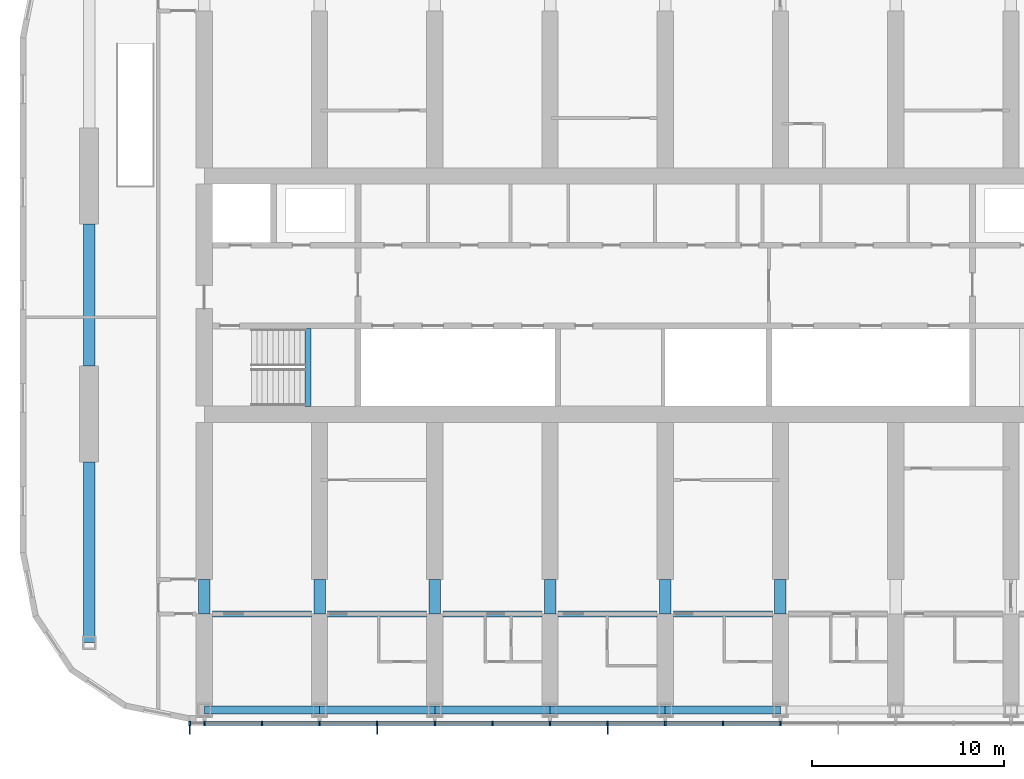
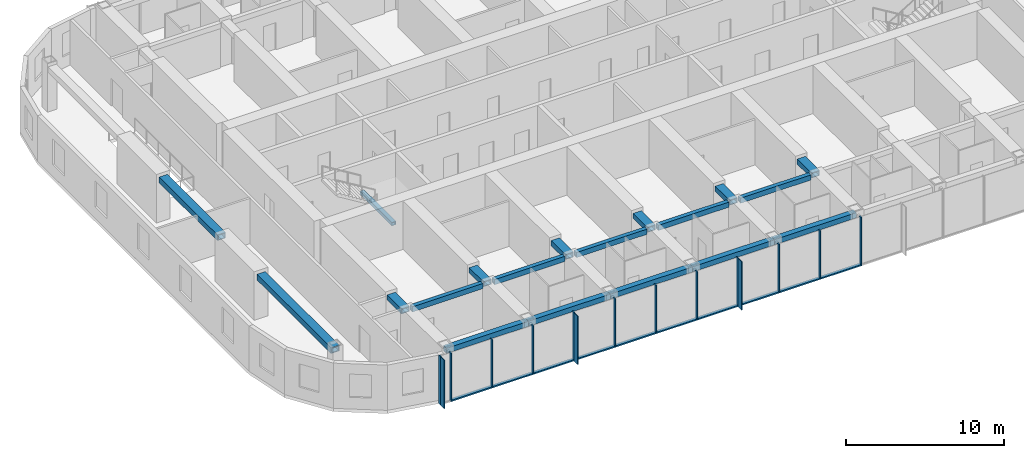
# One storey, part 2 of 22: 25 members, 19 beams, 1 element without a shape of its own.
"""IFC4 building model written with IfcOpenShell, lengths in metres."""

from ifc_helpers import new_model, si_unit, direction, frame, origin, origin_2d, place, context, subcontext, project, spatial, rectangle, hollow_rectangle, extrude, material, material_profile, profile_set, type_object, element, aggregate, save


model = new_model("IFC4")

# Units and contexts
model_context = context("Model", 3, precision=1e-05, world=origin(), true_north=direction((0.0, 1.0)))
body_context = subcontext(model_context, "Body", "Model", "MODEL_VIEW")
ifc_project = project(units=[si_unit("LENGTHUNIT", "METRE"), si_unit("AREAUNIT", "SQUARE_METRE"), si_unit("VOLUMEUNIT", "CUBIC_METRE"), si_unit("PLANEANGLEUNIT", "RADIAN"), si_unit("MASSUNIT", "GRAM", prefix="KILO")], contexts=[model_context])

# Site, building, storey
site_placement = place(None, origin())
site = spatial("IfcSite", under=ifc_project, at=site_placement, CompositionType="ELEMENT")
building_placement = place(site_placement, origin())
building = spatial("IfcBuilding", under=site, at=building_placement, Name="Orbita Commons", CompositionType="ELEMENT")
storey_placement = place(building_placement, frame((0.0, 0.0, 152.35009765625)))
storey = spatial("IfcBuildingStorey", under=building, at=storey_placement, Name="L37", CompositionType="ELEMENT", Elevation=152.35009765625)

# Curtain wall, members
ifc_material_1 = material(Name="Anodised aluminium frame, pale silver", Category="aluminium")
curtain_wall_type = type_object("IfcCurtainWallType", Name="Unitised curtain wall CW-U, full-height vision", PredefinedType="NOTDEFINED", material=ifc_material_1)
curtain_wall_placement = place(storey_placement, origin())
curtain_wall = element("IfcCurtainWall", 1, at=curtain_wall_placement, inside=storey, type_object=curtain_wall_type, Name="Curtain wall south L37", PredefinedType="NOTDEFINED")
ifc_material_2 = material(Name="Anodised aluminium, pale silver", Category="aluminium")
ifc_material_profile_1 = material_profile(ifc_material_2, rectangle(XDim=0.080078125, YDim=0.219970703125, at=origin_2d()), Name="AL 80x220")
ifc_profile_set_1 = profile_set([ifc_material_profile_1], Name="Anodised aluminium, pale silver")
member_type_1 = type_object("IfcMemberType", Name="Curtain wall mullion 80x220", PredefinedType="MULLION", material=ifc_profile_set_1)
member_1_placement = place(storey_placement, frame((17.239990234375, 9.68994140625, -0.25), z_axis=(0.0, 0.0, 1.0), x_axis=(1.0, 0.0, 0.0)))
member_1 = element("IfcMember", 2, at=member_1_placement, type_object=member_type_1, Name="Mullion 1 CW-L37-S", PredefinedType="MULLION", context=body_context, shape_type="SweptSolid", body=[
    extrude(rectangle(XDim=0.080078125, YDim=0.219970703125, at=origin_2d()), origin(), (0.0, 0.0, 1.0), 3.75),
])
member_2_placement = place(storey_placement, frame((18.0, 9.68994140625, -0.25), z_axis=(0.0, 0.0, 1.0), x_axis=(1.0, 0.0, 0.0)))
member_2 = element("IfcMember", 3, at=member_2_placement, type_object=member_type_1, Name="Mullion 2 CW-L37-S", PredefinedType="MULLION", context=body_context, shape_type="SweptSolid", body=[
    extrude(rectangle(XDim=0.080078125, YDim=0.219970703125, at=origin_2d()), origin(), (0.0, 0.0, 1.0), 3.75),
])
member_3_placement = place(storey_placement, frame((21.0, 9.68994140625, -0.25), z_axis=(0.0, 0.0, 1.0), x_axis=(1.0, 0.0, 0.0)))
member_3 = element("IfcMember", 4, at=member_3_placement, type_object=member_type_1, Name="Mullion 3 CW-L37-S", PredefinedType="MULLION", context=body_context, shape_type="SweptSolid", body=[
    extrude(rectangle(XDim=0.080078125, YDim=0.219970703125, at=origin_2d()), origin(), (0.0, 0.0, 1.0), 3.75),
])
member_4_placement = place(storey_placement, frame((24.0, 9.68994140625, -0.25), z_axis=(0.0, 0.0, 1.0), x_axis=(1.0, 0.0, 0.0)))
member_4 = element("IfcMember", 5, at=member_4_placement, type_object=member_type_1, Name="Mullion 4 CW-L37-S", PredefinedType="MULLION", context=body_context, shape_type="SweptSolid", body=[
    extrude(rectangle(XDim=0.080078125, YDim=0.219970703125, at=origin_2d()), origin(), (0.0, 0.0, 1.0), 3.75),
])
member_5_placement = place(storey_placement, frame((27.0, 9.68994140625, -0.25), z_axis=(0.0, 0.0, 1.0), x_axis=(1.0, 0.0, 0.0)))
member_5 = element("IfcMember", 6, at=member_5_placement, type_object=member_type_1, Name="Mullion 5 CW-L37-S", PredefinedType="MULLION", context=body_context, shape_type="SweptSolid", body=[
    extrude(rectangle(XDim=0.080078125, YDim=0.219970703125, at=origin_2d()), origin(), (0.0, 0.0, 1.0), 3.75),
])
member_6_placement = place(storey_placement, frame((30.0, 9.68994140625, -0.25), z_axis=(0.0, 0.0, 1.0), x_axis=(1.0, 0.0, 0.0)))
member_6 = element("IfcMember", 7, at=member_6_placement, type_object=member_type_1, Name="Mullion 6 CW-L37-S", PredefinedType="MULLION", context=body_context, shape_type="SweptSolid", body=[
    extrude(rectangle(XDim=0.080078125, YDim=0.219970703125, at=origin_2d()), origin(), (0.0, 0.0, 1.0), 3.75),
])
member_7_placement = place(storey_placement, frame((33.0, 9.68994140625, -0.25), z_axis=(0.0, 0.0, 1.0), x_axis=(1.0, 0.0, 0.0)))
member_7 = element("IfcMember", 8, at=member_7_placement, type_object=member_type_1, Name="Mullion 7 CW-L37-S", PredefinedType="MULLION", context=body_context, shape_type="SweptSolid", body=[
    extrude(rectangle(XDim=0.080078125, YDim=0.219970703125, at=origin_2d()), origin(), (0.0, 0.0, 1.0), 3.75),
])
member_8_placement = place(storey_placement, frame((36.0, 9.68994140625, -0.25), z_axis=(0.0, 0.0, 1.0), x_axis=(1.0, 0.0, 0.0)))
member_8 = element("IfcMember", 9, at=member_8_placement, type_object=member_type_1, Name="Mullion 8 CW-L37-S", PredefinedType="MULLION", context=body_context, shape_type="SweptSolid", body=[
    extrude(rectangle(XDim=0.080078125, YDim=0.219970703125, at=origin_2d()), origin(), (0.0, 0.0, 1.0), 3.75),
])
member_9_placement = place(storey_placement, frame((39.0, 9.68994140625, -0.25), z_axis=(0.0, 0.0, 1.0), x_axis=(1.0, 0.0, 0.0)))
member_9 = element("IfcMember", 10, at=member_9_placement, type_object=member_type_1, Name="Mullion 9 CW-L37-S", PredefinedType="MULLION", context=body_context, shape_type="SweptSolid", body=[
    extrude(rectangle(XDim=0.080078125, YDim=0.219970703125, at=origin_2d()), origin(), (0.0, 0.0, 1.0), 3.75),
])
member_10_placement = place(storey_placement, frame((42.0, 9.68994140625, -0.25), z_axis=(0.0, 0.0, 1.0), x_axis=(1.0, 0.0, 0.0)))
member_10 = element("IfcMember", 11, at=member_10_placement, type_object=member_type_1, Name="Mullion 10 CW-L37-S", PredefinedType="MULLION", context=body_context, shape_type="SweptSolid", body=[
    extrude(rectangle(XDim=0.080078125, YDim=0.219970703125, at=origin_2d()), origin(), (0.0, 0.0, 1.0), 3.75),
])
member_11_placement = place(storey_placement, frame((45.0, 9.68994140625, -0.25), z_axis=(0.0, 0.0, 1.0), x_axis=(1.0, 0.0, 0.0)))
member_11 = element("IfcMember", 12, at=member_11_placement, type_object=member_type_1, Name="Mullion 11 CW-L37-S", PredefinedType="MULLION", context=body_context, shape_type="SweptSolid", body=[
    extrude(rectangle(XDim=0.080078125, YDim=0.219970703125, at=origin_2d()), origin(), (0.0, 0.0, 1.0), 3.75),
])
member_12_placement = place(storey_placement, frame((48.0, 9.68994140625, -0.25), z_axis=(0.0, 0.0, 1.0), x_axis=(1.0, 0.0, 0.0)))
member_12 = element("IfcMember", 13, at=member_12_placement, type_object=member_type_1, Name="Mullion 12 CW-L37-S", PredefinedType="MULLION", context=body_context, shape_type="SweptSolid", body=[
    extrude(rectangle(XDim=0.080078125, YDim=0.219970703125, at=origin_2d()), origin(), (0.0, 0.0, 1.0), 3.75),
])
ifc_material_3 = material(Name="Anodised aluminium, pale silver", Category="aluminium")
ifc_material_profile_2 = material_profile(ifc_material_3, rectangle(XDim=0.219970703125, YDim=0.10009765625, at=origin_2d()), Name="AL 220x100")
ifc_profile_set_2 = profile_set([ifc_material_profile_2], Name="Anodised aluminium, pale silver")
member_type_2 = type_object("IfcMemberType", Name="Curtain wall stack transom 220x100", PredefinedType="USERDEFINED", material=ifc_profile_set_2)
member_13_placement = place(storey_placement, frame((18.0400390625, 9.68994140625, -0.2001953125), z_axis=(1.0, 0.0, 0.0), x_axis=(0.0, 1.0, 0.0)))
member_13 = element("IfcMember", 14, at=member_13_placement, type_object=member_type_2, Name="Transom 2.1 CW-L37-S", ObjectType="TRANSOM", PredefinedType="USERDEFINED", context=body_context, shape_type="SweptSolid", body=[
    extrude(rectangle(XDim=0.219970703125, YDim=0.10009765625, at=origin_2d()), origin(), (0.0, 0.0, 1.0), 2.919921875),
])
member_14_placement = place(storey_placement, frame((21.0400390625, 9.68994140625, -0.2001953125), z_axis=(1.0, 0.0, 0.0), x_axis=(0.0, 1.0, 0.0)))
member_14 = element("IfcMember", 15, at=member_14_placement, type_object=member_type_2, Name="Transom 3.1 CW-L37-S", ObjectType="TRANSOM", PredefinedType="USERDEFINED", context=body_context, shape_type="SweptSolid", body=[
    extrude(rectangle(XDim=0.219970703125, YDim=0.10009765625, at=origin_2d()), origin(), (0.0, 0.0, 1.0), 2.919921875),
])
member_15_placement = place(storey_placement, frame((24.0400390625, 9.68994140625, -0.2001953125), z_axis=(1.0, 0.0, 0.0), x_axis=(0.0, 1.0, 0.0)))
member_15 = element("IfcMember", 16, at=member_15_placement, type_object=member_type_2, Name="Transom 4.1 CW-L37-S", ObjectType="TRANSOM", PredefinedType="USERDEFINED", context=body_context, shape_type="SweptSolid", body=[
    extrude(rectangle(XDim=0.219970703125, YDim=0.10009765625, at=origin_2d()), origin(), (0.0, 0.0, 1.0), 2.919921875),
])
member_16_placement = place(storey_placement, frame((27.0400390625, 9.68994140625, -0.2001953125), z_axis=(1.0, 0.0, 0.0), x_axis=(0.0, 1.0, 0.0)))
member_16 = element("IfcMember", 17, at=member_16_placement, type_object=member_type_2, Name="Transom 5.1 CW-L37-S", ObjectType="TRANSOM", PredefinedType="USERDEFINED", context=body_context, shape_type="SweptSolid", body=[
    extrude(rectangle(XDim=0.219970703125, YDim=0.10009765625, at=origin_2d()), origin(), (0.0, 0.0, 1.0), 2.919921875),
])
member_17_placement = place(storey_placement, frame((30.0400390625, 9.68994140625, -0.2001953125), z_axis=(1.0, 0.0, 0.0), x_axis=(0.0, 1.0, 0.0)))
member_17 = element("IfcMember", 18, at=member_17_placement, type_object=member_type_2, Name="Transom 6.1 CW-L37-S", ObjectType="TRANSOM", PredefinedType="USERDEFINED", context=body_context, shape_type="SweptSolid", body=[
    extrude(rectangle(XDim=0.219970703125, YDim=0.10009765625, at=origin_2d()), origin(), (0.0, 0.0, 1.0), 2.919921875),
])
member_18_placement = place(storey_placement, frame((33.0400390625, 9.68994140625, -0.2001953125), z_axis=(1.0, 0.0, 0.0), x_axis=(0.0, 1.0, 0.0)))
member_18 = element("IfcMember", 19, at=member_18_placement, type_object=member_type_2, Name="Transom 7.1 CW-L37-S", ObjectType="TRANSOM", PredefinedType="USERDEFINED", context=body_context, shape_type="SweptSolid", body=[
    extrude(rectangle(XDim=0.219970703125, YDim=0.10009765625, at=origin_2d()), origin(), (0.0, 0.0, 1.0), 2.919921875),
])
member_19_placement = place(storey_placement, frame((36.0400390625, 9.68994140625, -0.2001953125), z_axis=(1.0, 0.0, 0.0), x_axis=(0.0, 1.0, 0.0)))
member_19 = element("IfcMember", 20, at=member_19_placement, type_object=member_type_2, Name="Transom 8.1 CW-L37-S", ObjectType="TRANSOM", PredefinedType="USERDEFINED", context=body_context, shape_type="SweptSolid", body=[
    extrude(rectangle(XDim=0.219970703125, YDim=0.10009765625, at=origin_2d()), origin(), (0.0, 0.0, 1.0), 2.919921875),
])
member_20_placement = place(storey_placement, frame((39.0400390625, 9.68994140625, -0.2001953125), z_axis=(1.0, 0.0, 0.0), x_axis=(0.0, 1.0, 0.0)))
member_20 = element("IfcMember", 21, at=member_20_placement, type_object=member_type_2, Name="Transom 9.1 CW-L37-S", ObjectType="TRANSOM", PredefinedType="USERDEFINED", context=body_context, shape_type="SweptSolid", body=[
    extrude(rectangle(XDim=0.219970703125, YDim=0.10009765625, at=origin_2d()), origin(), (0.0, 0.0, 1.0), 2.919921875),
])
member_21_placement = place(storey_placement, frame((42.0400390625, 9.68994140625, -0.2001953125), z_axis=(1.0, 0.0, 0.0), x_axis=(0.0, 1.0, 0.0)))
member_21 = element("IfcMember", 22, at=member_21_placement, type_object=member_type_2, Name="Transom 10.1 CW-L37-S", ObjectType="TRANSOM", PredefinedType="USERDEFINED", context=body_context, shape_type="SweptSolid", body=[
    extrude(rectangle(XDim=0.219970703125, YDim=0.10009765625, at=origin_2d()), origin(), (0.0, 0.0, 1.0), 2.919921875),
])
member_22_placement = place(storey_placement, frame((45.0400390625, 9.68994140625, -0.2001953125), z_axis=(1.0, 0.0, 0.0), x_axis=(0.0, 1.0, 0.0)))
member_22 = element("IfcMember", 23, at=member_22_placement, type_object=member_type_2, Name="Transom 11.1 CW-L37-S", ObjectType="TRANSOM", PredefinedType="USERDEFINED", context=body_context, shape_type="SweptSolid", body=[
    extrude(rectangle(XDim=0.219970703125, YDim=0.10009765625, at=origin_2d()), origin(), (0.0, 0.0, 1.0), 2.919921875),
])

# Beams
ifc_material_4 = material(Name="Steel ASTM A572 Gr 50 welded plate", Category="steel")
ifc_material_profile_3 = material_profile(ifc_material_4, hollow_rectangle(XDim=0.300048828125, YDim=0.25, WallThickness=0.02490234375, at=origin_2d()), Name="BOX 250x300x25")
ifc_profile_set_3 = profile_set([ifc_material_profile_3], Name="Steel ASTM A572 Gr 50 welded plate")
beam_type_1 = type_object("IfcBeamType", Name="Stair landing beam steel BOX 250x300x25", PredefinedType="BEAM", material=ifc_profile_set_3)
beam_1_placement = place(storey_placement, frame((23.39990234375, 26.2099609375, 1.5498046875), z_axis=(0.0, 1.0, 0.0), x_axis=(-1.0, 0.0, 0.0)))
element("IfcBeam", 24, at=beam_1_placement, inside=storey, type_object=beam_type_1, Name="Stair S1 landing beam L37 1", PredefinedType="BEAM", context=body_context, shape_type="SweptSolid", body=[
    extrude(hollow_rectangle(XDim=0.300048828125, YDim=0.25, WallThickness=0.02490234375, at=origin_2d()), origin(), (0.0, 0.0, 1.0), 4.054931640625),
])
ifc_material_5 = material(Name="Steel ASTM A572 Gr 50 welded plate", Category="steel")
ifc_material_profile_4 = material_profile(ifc_material_5, hollow_rectangle(XDim=0.300048828125, YDim=0.39990234375, WallThickness=0.0400390625, at=origin_2d()), Name="BOX 400x300x40")
ifc_profile_set_4 = profile_set([ifc_material_profile_4], Name="Steel ASTM A572 Gr 50 welded plate")
beam_type_2 = type_object("IfcBeamType", Name="Steel corridor link BOX 400x300x40", PredefinedType="BEAM", material=ifc_profile_set_4)
for number, where, z_axis, x_axis, name in (
    (25, (18.425048828125, 15.39990234375, 3.2998046875), (1.0, 0.0, 0.0), (0.0, 1.0, 0.0), "Corridor beam SA 4-5 L37"),
    (26, (24.425048828125, 15.39990234375, 3.2998046875), (1.0, 0.0, 0.0), (0.0, 1.0, 0.0), "Corridor beam SA 5-6 L37"),
    (27, (30.425048828125, 15.39990234375, 3.2998046875), (1.0, 0.0, 0.0), (0.0, 1.0, 0.0), "Corridor beam SA 6-7 L37"),
    (28, (36.425048828125, 15.39990234375, 3.2998046875), (1.0, 0.0, 0.0), (0.0, 1.0, 0.0), "Corridor beam SA 7-8 L37"),
    (29, (42.425048828125, 15.39990234375, 3.2998046875), (1.0, 0.0, 0.0), (0.0, 1.0, 0.0), "Corridor beam SA 8-9 L37"),
):
    element("IfcBeam", number, at=place(storey_placement, frame(where, z_axis=z_axis, x_axis=x_axis)), inside=storey, type_object=beam_type_2, Name=name, PredefinedType="BEAM", context=body_context, shape_type="SweptSolid", body=[
        extrude(hollow_rectangle(XDim=0.300048828125, YDim=0.39990234375, WallThickness=0.0400390625, at=origin_2d()), origin(), (0.0, 0.0, 1.0), 5.14990234375),
    ])
ifc_material_6 = material(Name="Steel ASTM A572 Gr 50 welded plate", Category="steel")
ifc_material_profile_5 = material_profile(ifc_material_6, hollow_rectangle(XDim=0.60009765625, YDim=0.39990234375, WallThickness=0.050048828125, at=origin_2d()), Name="BOX 400x600x50")
ifc_profile_set_5 = profile_set([ifc_material_profile_5], Name="Steel ASTM A572 Gr 50 welded plate")
beam_type_3 = type_object("IfcBeamType", Name="Steel coupling link BOX 400x600x50", PredefinedType="LINTEL", material=ifc_profile_set_5)
for number, where, z_axis, x_axis, name in (
    (30, (18.0, 15.39990234375, 3.2998046875), (0.0, 1.0, 0.0), (-1.0, 0.0, 0.0), "Coupling beam 4 south L37"),
    (31, (24.0, 15.39990234375, 3.2998046875), (0.0, 1.0, 0.0), (-1.0, 0.0, 0.0), "Coupling beam 5 south L37"),
    (32, (30.0, 15.39990234375, 3.2998046875), (0.0, 1.0, 0.0), (-1.0, 0.0, 0.0), "Coupling beam 6 south L37"),
    (33, (36.0, 15.39990234375, 3.2998046875), (0.0, 1.0, 0.0), (-1.0, 0.0, 0.0), "Coupling beam 7 south L37"),
    (34, (42.0, 15.39990234375, 3.2998046875), (0.0, 1.0, 0.0), (-1.0, 0.0, 0.0), "Coupling beam 8 south L37"),
    (35, (48.0, 15.39990234375, 3.2998046875), (0.0, 1.0, 0.0), (-1.0, 0.0, 0.0), "Coupling beam 9 south L37"),
):
    element("IfcBeam", number, at=place(storey_placement, frame(where, z_axis=z_axis, x_axis=x_axis)), inside=storey, type_object=beam_type_3, Name=name, PredefinedType="LINTEL", context=body_context, shape_type="SweptSolid", body=[
        extrude(hollow_rectangle(XDim=0.60009765625, YDim=0.39990234375, WallThickness=0.050048828125, at=origin_2d()), origin(), (0.0, 0.0, 1.0), 1.800048828125),
    ])
ifc_material_7 = material(Name="Steel ASTM A572 Gr 50 welded plate", Category="steel")
ifc_material_profile_6 = material_profile(ifc_material_7, hollow_rectangle(XDim=0.60009765625, YDim=0.449951171875, WallThickness=0.06005859375, at=origin_2d()), Name="BOX 450x600x60")
ifc_profile_set_6 = profile_set([ifc_material_profile_6], Name="Steel ASTM A572 Gr 50 welded plate")
beam_type_4 = type_object("IfcBeamType", Name="Steel end frame link BOX 450x600x60", PredefinedType="BEAM", material=ifc_profile_set_6)
beam_2_placement = place(storey_placement, frame((12.0, 13.89990234375, 3.27490234375), z_axis=(0.0, 1.0, 0.0), x_axis=(-1.0, 0.0, 0.0)))
element("IfcBeam", 36, at=beam_2_placement, inside=storey, type_object=beam_type_4, Name="End frame beam 3 B-C L37", PredefinedType="BEAM", context=body_context, shape_type="SweptSolid", body=[
    extrude(hollow_rectangle(XDim=0.60009765625, YDim=0.449951171875, WallThickness=0.06005859375, at=origin_2d()), origin(), (0.0, 0.0, 1.0), 9.400146484375),
])
beam_3_placement = place(storey_placement, frame((12.0, 28.300048828125, 3.27490234375), z_axis=(0.0, 1.0, 0.0), x_axis=(-1.0, 0.0, 0.0)))
element("IfcBeam", 37, at=beam_3_placement, inside=storey, type_object=beam_type_4, Name="End frame beam 3 C-D L37", PredefinedType="BEAM", context=body_context, shape_type="SweptSolid", body=[
    extrude(hollow_rectangle(XDim=0.60009765625, YDim=0.449951171875, WallThickness=0.06005859375, at=origin_2d()), origin(), (0.0, 0.0, 1.0), 7.39990234375),
])
ifc_material_8 = material(Name="Steel ASTM A572 Gr 50 welded plate", Category="steel")
ifc_material_profile_7 = material_profile(ifc_material_8, hollow_rectangle(XDim=0.39990234375, YDim=0.39990234375, WallThickness=0.0400390625, at=origin_2d()), Name="BOX 400x400x40")
ifc_profile_set_7 = profile_set([ifc_material_profile_7], Name="Steel ASTM A572 Gr 50 welded plate")
beam_type_5 = type_object("IfcBeamType", Name="Steel spandrel BOX 400x400x40", PredefinedType="SPANDREL", material=ifc_profile_set_7)
for number, where, z_axis, x_axis, name in (
    (38, (18.0, 10.39990234375, 3.2998046875), (1.0, 0.0, 0.0), (0.0, 1.0, 0.0), "Spandrel beam B 4-5 L37"),
    (39, (24.0, 10.39990234375, 3.2998046875), (1.0, 0.0, 0.0), (0.0, 1.0, 0.0), "Spandrel beam B 5-6 L37"),
    (40, (30.0, 10.39990234375, 3.2998046875), (1.0, 0.0, 0.0), (0.0, 1.0, 0.0), "Spandrel beam B 6-7 L37"),
    (41, (36.0, 10.39990234375, 3.2998046875), (1.0, 0.0, 0.0), (0.0, 1.0, 0.0), "Spandrel beam B 7-8 L37"),
    (42, (42.0, 10.39990234375, 3.2998046875), (1.0, 0.0, 0.0), (0.0, 1.0, 0.0), "Spandrel beam B 8-9 L37"),
):
    element("IfcBeam", number, at=place(storey_placement, frame(where, z_axis=z_axis, x_axis=x_axis)), inside=storey, type_object=beam_type_5, Name=name, PredefinedType="SPANDREL", context=body_context, shape_type="SweptSolid", body=[
        extrude(hollow_rectangle(XDim=0.39990234375, YDim=0.39990234375, WallThickness=0.0400390625, at=origin_2d()), origin(), (0.0, 0.0, 1.0), 6.0),
    ])

# Member
ifc_material_9 = material(Name="Anodised aluminium, pale silver", Category="aluminium")
ifc_material_profile_8 = material_profile(ifc_material_9, rectangle(XDim=0.06005859375, YDim=0.449951171875, at=origin_2d()), Name="FIN 60x450")
ifc_profile_set_8 = profile_set([ifc_material_profile_8], Name="Anodised aluminium, pale silver")
member_type_3 = type_object("IfcMemberType", Name="Vertical fin 60x450 pale aluminium", PredefinedType="USERDEFINED", material=ifc_profile_set_8)
member_23_placement = place(storey_placement, frame((17.239990234375, 9.35498046875, -0.25), z_axis=(0.0, 0.0, 1.0), x_axis=(1.0, 0.0, 0.0)))
member_23 = element("IfcMember", 43, at=member_23_placement, type_object=member_type_3, Name="Fin 1 CW-L37-S", ObjectType="FIN", PredefinedType="USERDEFINED", context=body_context, shape_type="SweptSolid", body=[
    extrude(rectangle(XDim=0.06005859375, YDim=0.449951171875, at=origin_2d()), origin(), (0.0, 0.0, 1.0), 3.75),
])

member_24_placement = place(storey_placement, frame((27.0, 9.35498046875, -0.25), z_axis=(0.0, 0.0, 1.0), x_axis=(1.0, 0.0, 0.0)))
member_24 = element("IfcMember", 44, at=member_24_placement, type_object=member_type_3, Name="Fin 5 CW-L37-S", ObjectType="FIN", PredefinedType="USERDEFINED", context=body_context, shape_type="SweptSolid", body=[
    extrude(rectangle(XDim=0.06005859375, YDim=0.449951171875, at=origin_2d()), origin(), (0.0, 0.0, 1.0), 3.75),
])

member_25_placement = place(storey_placement, frame((39.0, 9.35498046875, -0.25), z_axis=(0.0, 0.0, 1.0), x_axis=(1.0, 0.0, 0.0)))
member_25 = element("IfcMember", 45, at=member_25_placement, type_object=member_type_3, Name="Fin 9 CW-L37-S", ObjectType="FIN", PredefinedType="USERDEFINED", context=body_context, shape_type="SweptSolid", body=[
    extrude(rectangle(XDim=0.06005859375, YDim=0.449951171875, at=origin_2d()), origin(), (0.0, 0.0, 1.0), 3.75),
])

aggregate(curtain_wall, [member_1, member_23, member_2, member_3, member_4, member_5, member_24, member_6, member_7, member_8, member_9, member_25, member_10, member_11, member_12, member_13, member_14, member_15, member_16, member_17, member_18, member_19, member_20, member_21, member_22])

save(model, "model.ifc")
